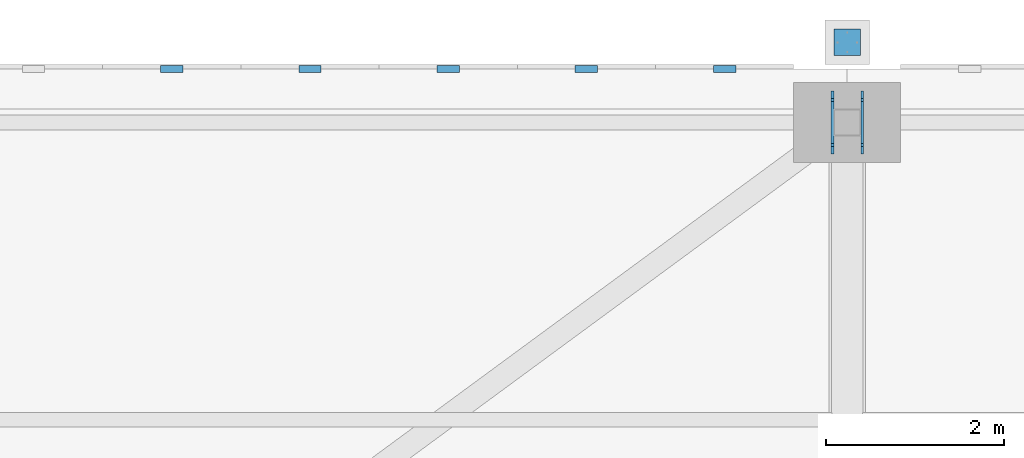
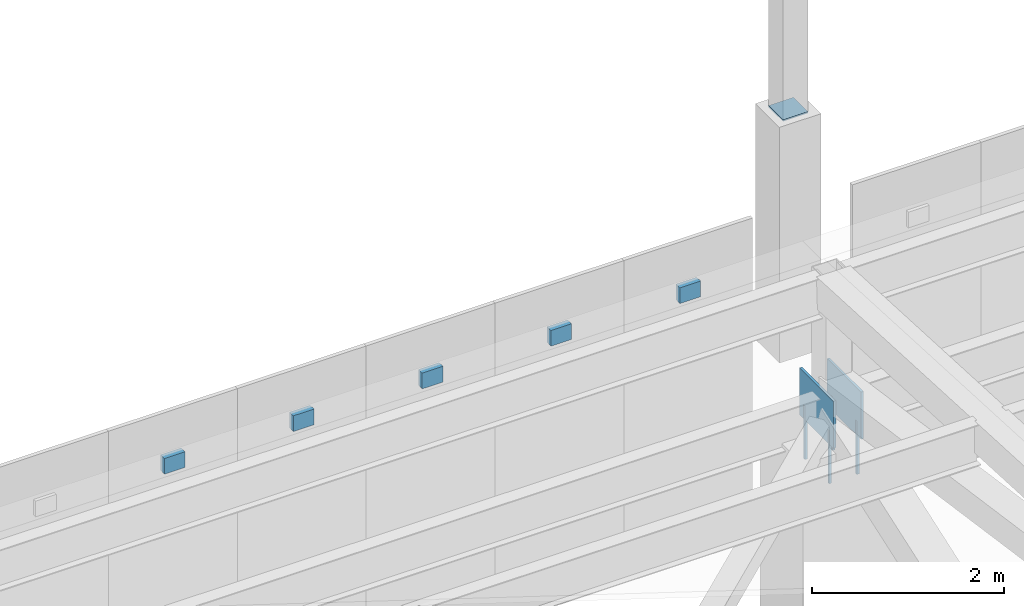
# One storey, part 235 of 278: 8 discrete accessories, 4 mechanical fasteners.
"""IFC4 building model written with IfcOpenShell, lengths in metres."""

from ifc_helpers import new_model, si_unit, direction, frame, origin, origin_2d, place, context, subcontext, project, spatial, rectangle, extrude, material, layer, layer_set, type_object, element, save


model = new_model("IFC4")

# Units and contexts
model_context = context("Model", 3, precision=1e-05, world=origin(), true_north=direction((0.0, 1.0)))
body_context = subcontext(model_context, "Body", "Model", "MODEL_VIEW")
ifc_project = project(units=[si_unit("LENGTHUNIT", "METRE"), si_unit("AREAUNIT", "SQUARE_METRE"), si_unit("VOLUMEUNIT", "CUBIC_METRE"), si_unit("PLANEANGLEUNIT", "RADIAN"), si_unit("MASSUNIT", "GRAM", prefix="KILO")], contexts=[model_context])

# Site, building, storey
site_placement = place(None, origin())
site = spatial("IfcSite", under=ifc_project, at=site_placement, CompositionType="ELEMENT")
building_placement = place(site_placement, origin())
building = spatial("IfcBuilding", under=site, at=building_placement, Name="Ogive Plaza Stadium", CompositionType="ELEMENT")
storey_placement = place(building_placement, frame((0.0, 0.0, 29.0)))
storey = spatial("IfcBuildingStorey", under=building, at=storey_placement, Name="Roof", CompositionType="ELEMENT", Elevation=29.0)

# Mechanical fasteners
ifc_material_1 = material(Name="Steel ASTM A992 Grade 50", Category="steel")
mechanical_fastener_type = type_object("IfcMechanicalFastenerType", Name="Anchor bolt M30 x 600", PredefinedType="ANCHORBOLT", material=ifc_material_1)
for number, where, z_axis, x_axis, name in (
    (1, (-6.96630859375, 102.75244140625, 3.0), (0.0, 0.0, 1.0), (0.0, 1.0, 0.0), "ANCHOR BOLT 34 BF 1.1"),
    (2, (-6.96630859375, 102.24755859375, 3.0), (0.0, 0.0, 1.0), (0.0, 1.0, 0.0), "ANCHOR BOLT 34 BF 1.2"),
    (3, (-6.633544921875, 102.75244140625, 3.0), (0.0, 0.0, 1.0), (0.0, 1.0, 0.0), "ANCHOR BOLT 34 BF 2.1"),
    (4, (-6.633544921875, 102.24755859375, 3.0), (0.0, 0.0, 1.0), (0.0, 1.0, 0.0), "ANCHOR BOLT 34 BF 2.2"),
):
    element("IfcMechanicalFastener", number, at=place(storey_placement, frame(where, z_axis=z_axis, x_axis=x_axis)), inside=storey, type_object=mechanical_fastener_type, Name=name, PredefinedType="ANCHORBOLT", context=body_context, shape_type="SweptSolid", body=[
        extrude(rectangle(XDim=0.030029296875, YDim=0.030029296875, at=origin_2d()), origin(), (0.0, 0.0, 1.0), 0.679931640625),
    ])

# Discrete accessories
ifc_material_2 = material(Name="Steel ASTM A992 Grade 50", Category="steel")
ifc_layer_1 = layer(ifc_material_2, 0.02001953125)
ifc_layer_set_1 = layer_set([ifc_layer_1], Name="Steel ASTM A992 Grade 50")
discrete_accessory_type_1 = type_object("IfcDiscreteAccessoryType", Name="Spire seat plate 20", PredefinedType="ANCHORPLATE", material=ifc_layer_set_1)
discrete_accessory_placement = place(storey_placement, frame((-6.800048828125, 103.39990234375, 6.98095703125), z_axis=(0.0, 0.0, 1.0), x_axis=(0.0, 1.0, 0.0)))
element("IfcDiscreteAccessory", 5, at=discrete_accessory_placement, inside=storey, type_object=discrete_accessory_type_1, Name="SPIRE SEAT PLATE 34", PredefinedType="ANCHORPLATE", context=body_context, shape_type="SweptSolid", body=[
    extrude(rectangle(XDim=0.300048828125, YDim=0.300048828125, at=origin_2d()), origin(), (0.0, 0.0, 1.0), 0.02001953125),
])
ifc_material_3 = material(Name="Steel ASTM A572 Grade 50", Category="steel")
ifc_layer_2 = layer(ifc_material_3, 0.080078125)
ifc_layer_set_2 = layer_set([ifc_layer_2], Name="Steel ASTM A572 Grade 50")
discrete_accessory_type_2 = type_object("IfcDiscreteAccessoryType", Name="Tracery screen bracket 250x200", PredefinedType="BRACKET", material=ifc_layer_set_2)
for number, where, z_axis, x_axis, name in (
    (6, (-14.375, 103.102294921875, 5.25), (0.0, 0.0, 1.0), (1.0, 0.0, 0.0), "TRACERY SCREEN BRACKET B33 4"),
    (7, (-12.824951171875, 103.102294921875, 5.25), (0.0, 0.0, 1.0), (1.0, 0.0, 0.0), "TRACERY SCREEN BRACKET B33 5"),
    (8, (-11.27490234375, 103.102294921875, 5.25), (0.0, 0.0, 1.0), (1.0, 0.0, 0.0), "TRACERY SCREEN BRACKET B33 6"),
    (9, (-9.72509765625, 103.102294921875, 5.25), (0.0, 0.0, 1.0), (1.0, 0.0, 0.0), "TRACERY SCREEN BRACKET B33 7"),
    (10, (-8.175048828125, 103.102294921875, 5.25), (0.0, 0.0, 1.0), (1.0, 0.0, 0.0), "TRACERY SCREEN BRACKET B33 8"),
):
    element("IfcDiscreteAccessory", number, at=place(storey_placement, frame(where, z_axis=z_axis, x_axis=x_axis)), inside=storey, type_object=discrete_accessory_type_2, Name=name, PredefinedType="BRACKET", context=body_context, shape_type="SweptSolid", body=[
        extrude(rectangle(XDim=0.25, YDim=0.080078125, at=origin_2d()), origin(), (0.0, 0.0, 1.0), 0.199951171875),
    ])
ifc_material_4 = material(Name="Steel ASTM A992 Grade 50", Category="steel")
ifc_layer_3 = layer(ifc_material_4, 0.030029296875)
ifc_layer_set_3 = layer_set([ifc_layer_3], Name="Steel ASTM A992 Grade 50")
discrete_accessory_type_3 = type_object("IfcDiscreteAccessoryType", Name="Truss back-stay foot cleat plate 30", PredefinedType="ANCHORPLATE", material=ifc_layer_set_3)
for number, where, z_axis, x_axis, name in (
    (11, (-6.96630859375, 102.5, 3.5), (0.0, 0.0, 1.0), (0.0, 1.0, 0.0), "TRUSS BACK-STAY FOOT CLEAT PLATE 34 1"),
    (12, (-6.633544921875, 102.5, 3.5), (0.0, 0.0, 1.0), (0.0, 1.0, 0.0), "TRUSS BACK-STAY FOOT CLEAT PLATE 34 2"),
):
    element("IfcDiscreteAccessory", number, at=place(storey_placement, frame(where, z_axis=z_axis, x_axis=x_axis)), inside=storey, type_object=discrete_accessory_type_3, Name=name, PredefinedType="ANCHORPLATE", context=body_context, shape_type="SweptSolid", body=[
        extrude(rectangle(XDim=0.704833984375, YDim=0.030029296875, at=origin_2d()), origin(), (0.0, 0.0, 1.0), 0.60009765625),
    ])

save(model, "model.ifc")
